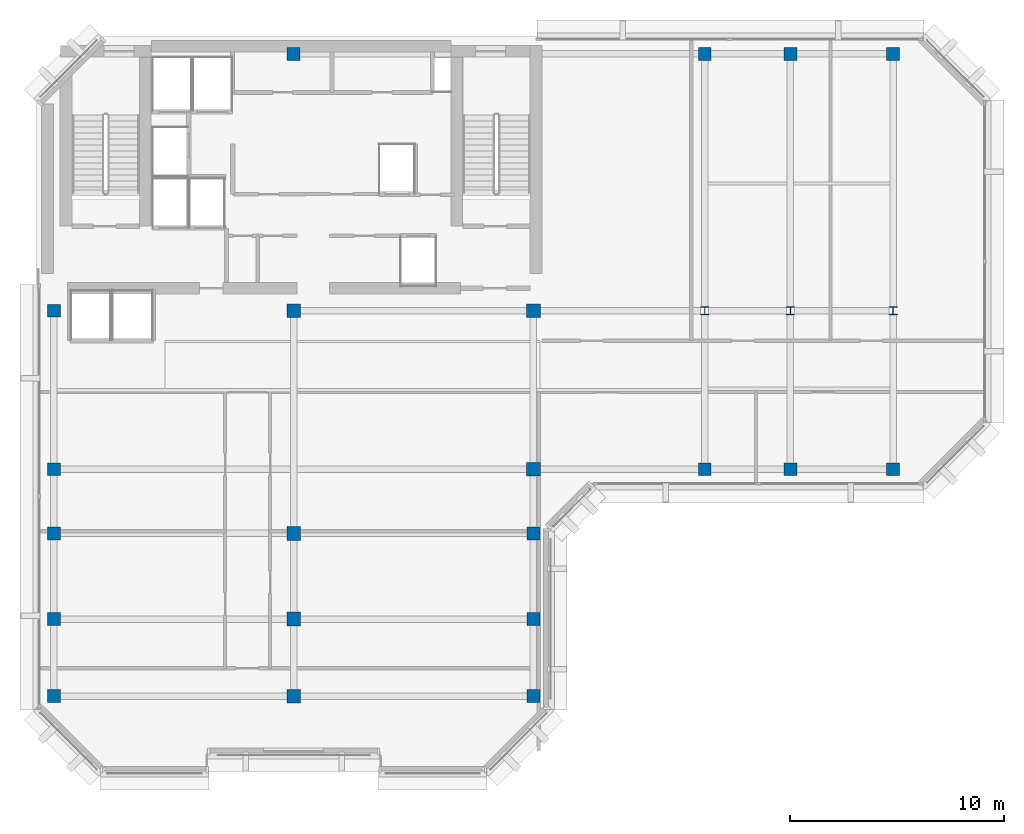
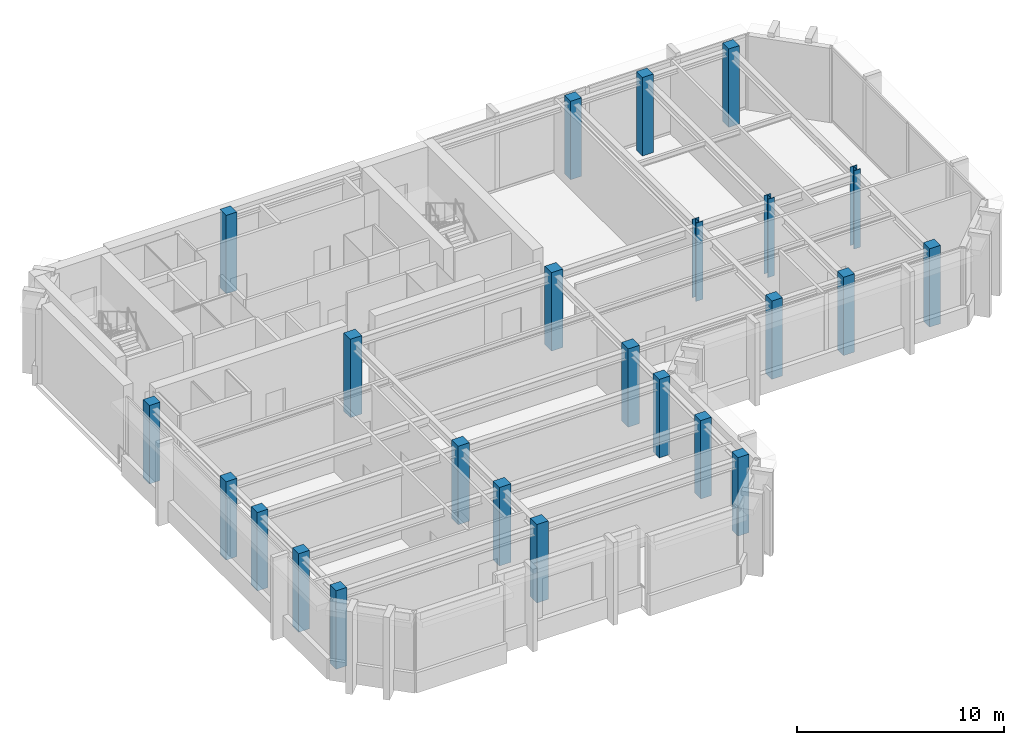
# One storey, part 1 of 9: 24 columns.
"""IFC4 building model written with IfcOpenShell, lengths in metres."""

from ifc_helpers import new_model, si_unit, direction, frame, origin, origin_2d, place, context, subcontext, project, spatial, rectangle, i_section, extrude, material, material_profile, profile_set, type_object, element, save


model = new_model("IFC4")

# Units and contexts
model_context = context("Model", 3, precision=1e-05, world=origin(), true_north=direction((0.0, 1.0)))
body_context = subcontext(model_context, "Body", "Model", "MODEL_VIEW")
ifc_project = project(units=[si_unit("LENGTHUNIT", "METRE"), si_unit("AREAUNIT", "SQUARE_METRE"), si_unit("VOLUMEUNIT", "CUBIC_METRE"), si_unit("PLANEANGLEUNIT", "RADIAN"), si_unit("MASSUNIT", "GRAM", prefix="KILO")], contexts=[model_context])

# Site, building, storey
site_placement = place(None, origin())
site = spatial("IfcSite", under=ifc_project, at=site_placement, CompositionType="ELEMENT")
building_placement = place(site_placement, origin())
building = spatial("IfcBuilding", under=site, at=building_placement, Name="Kefirva Bronze Tower", CompositionType="ELEMENT")
storey_placement = place(building_placement, frame((0.0, 0.0, 356.72998046875)))
storey = spatial("IfcBuildingStorey", under=building, at=storey_placement, Name="L87", CompositionType="ELEMENT", Elevation=356.72998046875)

# Columns
ifc_material_1 = material(Name="Concrete C50/60", Category="concrete")
ifc_material_profile_1 = material_profile(ifc_material_1, rectangle(XDim=0.60009765625, YDim=0.60009765625, at=origin_2d()), Name="RC 600x600")
ifc_profile_set_1 = profile_set([ifc_material_profile_1], Name="Concrete C50/60")
column_type_1 = type_object("IfcColumnType", Name="RC Column 600x600 Ext", PredefinedType="COLUMN", material=ifc_profile_set_1)
for number, where, z_axis, x_axis, name in (
    (1, (0.800048828125, 15.199951171875, 0.0), (0.0, 0.0, 1.0), (1.0, 0.0, 0.0), "L87 Column C008_152"),
    (2, (0.800048828125, 18.800048828125, 0.0), (0.0, 0.0, 1.0), (1.0, 0.0, 0.0), "L87 Column C008_188"),
    (3, (0.800048828125, 22.800048828125, 0.0), (0.0, 0.0, 1.0), (1.0, 0.0, 0.0), "L87 Column C008_228"),
    (4, (0.800048828125, 25.800048828125, 0.0), (0.0, 0.0, 1.0), (1.0, 0.0, 0.0), "L87 Column C008_258"),
    (5, (0.800048828125, 33.199951171875, 0.0), (0.0, 0.0, 1.0), (1.0, 0.0, 0.0), "L87 Column C008_332"),
    (6, (12.0, 45.199951171875, 0.0), (0.0, 0.0, 1.0), (1.0, 0.0, 0.0), "L87 Column C120_452"),
    (7, (23.199951171875, 15.199951171875, 0.0), (0.0, 0.0, 1.0), (1.0, 0.0, 0.0), "L87 Column C232_152"),
    (8, (23.199951171875, 18.800048828125, 0.0), (0.0, 0.0, 1.0), (1.0, 0.0, 0.0), "L87 Column C232_188"),
    (9, (23.199951171875, 22.800048828125, 0.0), (0.0, 0.0, 1.0), (1.0, 0.0, 0.0), "L87 Column C232_228"),
    (10, (31.199951171875, 25.800048828125, 0.0), (0.0, 0.0, 1.0), (1.0, 0.0, 0.0), "L87 Column C312_258"),
    (11, (31.199951171875, 45.199951171875, 0.0), (0.0, 0.0, 1.0), (1.0, 0.0, 0.0), "L87 Column C312_452"),
    (12, (35.199951171875, 25.800048828125, 0.0), (0.0, 0.0, 1.0), (1.0, 0.0, 0.0), "L87 Column C352_258"),
    (13, (35.199951171875, 45.199951171875, 0.0), (0.0, 0.0, 1.0), (1.0, 0.0, 0.0), "L87 Column C352_452"),
    (14, (40.0, 25.800048828125, 0.0), (0.0, 0.0, 1.0), (1.0, 0.0, 0.0), "L87 Column C400_258"),
    (15, (40.0, 45.199951171875, 0.0), (0.0, 0.0, 1.0), (1.0, 0.0, 0.0), "L87 Column C400_452"),
):
    element("IfcColumn", number, at=place(storey_placement, frame(where, z_axis=z_axis, x_axis=x_axis)), inside=storey, type_object=column_type_1, Name=name, PredefinedType="COLUMN", context=body_context, shape_type="SweptSolid", body=[
        extrude(rectangle(XDim=0.60009765625, YDim=0.60009765625, at=origin_2d()), origin(), (0.0, 0.0, 1.0), 4.6201171875),
    ])
ifc_material_profile_2 = material_profile(ifc_material_1, rectangle(XDim=0.639892578125, YDim=0.639892578125, at=origin_2d()), Name="RC 640x640")
ifc_profile_set_2 = profile_set([ifc_material_profile_2], Name="Concrete C50/60")
column_type_2 = type_object("IfcColumnType", Name="RC Column 640x640 Int", PredefinedType="COLUMN", material=ifc_profile_set_2)
for number, where, z_axis, x_axis, name in (
    (16, (12.0, 15.199951171875, 0.0), (0.0, 0.0, 1.0), (1.0, 0.0, 0.0), "L87 Column C120_152"),
    (17, (12.0, 18.800048828125, 0.0), (0.0, 0.0, 1.0), (1.0, 0.0, 0.0), "L87 Column C120_188"),
    (18, (12.0, 22.800048828125, 0.0), (0.0, 0.0, 1.0), (1.0, 0.0, 0.0), "L87 Column C120_228"),
    (19, (12.0, 33.199951171875, 0.0), (0.0, 0.0, 1.0), (1.0, 0.0, 0.0), "L87 Column C120_332"),
    (20, (23.199951171875, 25.800048828125, 0.0), (0.0, 0.0, 1.0), (1.0, 0.0, 0.0), "L87 Column C232_258"),
    (21, (23.199951171875, 33.199951171875, 0.0), (0.0, 0.0, 1.0), (1.0, 0.0, 0.0), "L87 Column C232_332"),
):
    element("IfcColumn", number, at=place(storey_placement, frame(where, z_axis=z_axis, x_axis=x_axis)), inside=storey, type_object=column_type_2, Name=name, PredefinedType="COLUMN", context=body_context, shape_type="SweptSolid", body=[
        extrude(rectangle(XDim=0.639892578125, YDim=0.639892578125, at=origin_2d()), origin(), (0.0, 0.0, 1.0), 4.6201171875),
    ])
ifc_material_2 = material(Name="Steel S460", Category="steel")
ifc_material_profile_3 = material_profile(ifc_material_2, i_section(OverallWidth=0.376953125, OverallDepth=0.386962890625, WebThickness=0.01611328125, FlangeThickness=0.027099609375, at=origin_2d()), Name="HD 360x262")
ifc_profile_set_3 = profile_set([ifc_material_profile_3], Name="Steel S460")
column_type_3 = type_object("IfcColumnType", Name="Steel Column HD 360x262", PredefinedType="COLUMN", material=ifc_profile_set_3)
for number, where, z_axis, x_axis, name in (
    (22, (31.199951171875, 33.199951171875, 0.0), (0.0, 0.0, 1.0), (1.0, 0.0, 0.0), "L87 Column C312_332"),
    (23, (35.199951171875, 33.199951171875, 0.0), (0.0, 0.0, 1.0), (1.0, 0.0, 0.0), "L87 Column C352_332"),
    (24, (40.0, 33.199951171875, 0.0), (0.0, 0.0, 1.0), (1.0, 0.0, 0.0), "L87 Column C400_332"),
):
    element("IfcColumn", number, at=place(storey_placement, frame(where, z_axis=z_axis, x_axis=x_axis)), inside=storey, type_object=column_type_3, Name=name, PredefinedType="COLUMN", context=body_context, shape_type="SweptSolid", body=[
        extrude(i_section(OverallWidth=0.376953125, OverallDepth=0.386962890625, WebThickness=0.01611328125, FlangeThickness=0.027099609375, at=origin_2d()), origin(), (0.0, 0.0, 1.0), 4.6201171875),
    ])

save(model, "model.ifc")
